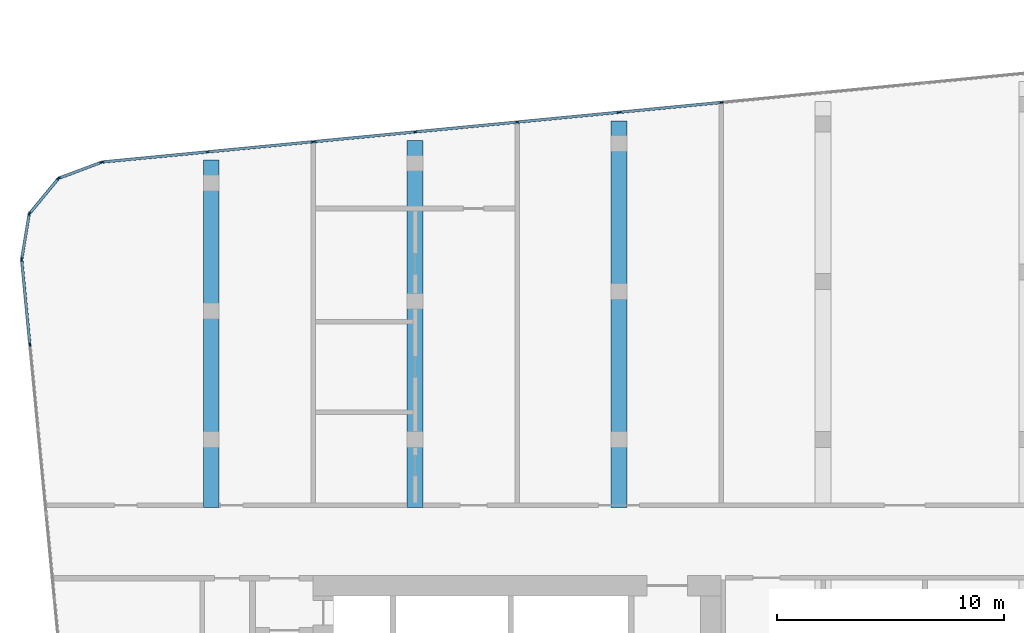
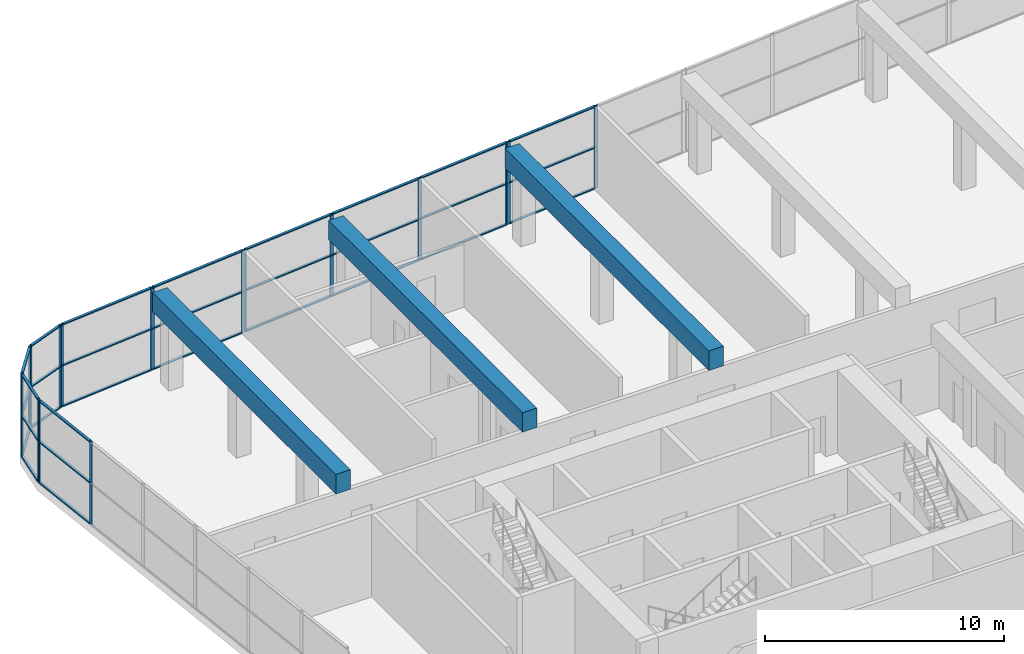
# One storey, part 6 of 21: 47 members, 3 beams, 7 elements without a shape of their own.
"""IFC4 building model written with IfcOpenShell, lengths in metres."""

from ifc_helpers import new_model, si_unit, direction, frame, origin, origin_2d, place, context, subcontext, project, spatial, rectangle, extrude, material, material_profile, profile_set, type_object, element, aggregate, save


model = new_model("IFC4")

# Units and contexts
model_context = context("Model", 3, precision=1e-05, world=origin(), true_north=direction((0.0, 1.0)))
body_context = subcontext(model_context, "Body", "Model", "MODEL_VIEW")
ifc_project = project(units=[si_unit("LENGTHUNIT", "METRE"), si_unit("AREAUNIT", "SQUARE_METRE"), si_unit("VOLUMEUNIT", "CUBIC_METRE"), si_unit("PLANEANGLEUNIT", "RADIAN"), si_unit("MASSUNIT", "GRAM", prefix="KILO")], contexts=[model_context])

# Site, building, storey
site_placement = place(None, origin())
site = spatial("IfcSite", under=ifc_project, at=site_placement, CompositionType="ELEMENT")
building_placement = place(site_placement, origin())
building = spatial("IfcBuilding", under=site, at=building_placement, Name="Kajstack Hotel Tower", CompositionType="ELEMENT")
storey_placement = place(building_placement, frame((0.0, 0.0, 162.39990234375)))
storey = spatial("IfcBuildingStorey", under=building, at=storey_placement, Name="L37", CompositionType="ELEMENT", Elevation=162.39990234375)

# Curtain wall, members
ifc_material_1 = material(Name="Aluminium-framed curtain wall, insulated glass with fritted edge", Category="aluminium")
curtain_wall_type = type_object("IfcCurtainWallType", Name="CW-SPA", PredefinedType="NOTDEFINED", material=ifc_material_1)
curtain_wall_1_placement = place(storey_placement, origin())
curtain_wall_1 = element("IfcCurtainWall", 1, at=curtain_wall_1_placement, inside=storey, type_object=curtain_wall_type, Name="Curtain wall CU7 L37-00-00-0", PredefinedType="NOTDEFINED")
ifc_material_2 = material(Name="Aluminium", Category="aluminium")
ifc_material_profile_1 = material_profile(ifc_material_2, rectangle(XDim=0.06005859375, YDim=0.179931640625, at=origin_2d()), Name="Aluminium mullion 60 x 180")
ifc_profile_set_1 = profile_set([ifc_material_profile_1], Name="Aluminium")
member_type_1 = type_object("IfcMemberType", Name="CW-M-SPA", PredefinedType="MULLION", material=ifc_profile_set_1)
member_1_placement = place(storey_placement, frame((-44.36083984375, 12.42138671875, 0.0), z_axis=(0.0, 0.0, 1.0), x_axis=(0.995396334107, 0.095844342793, 0.0)))
member_1 = element("IfcMember", 2, at=member_1_placement, type_object=member_type_1, Name="CU7 mullion 1", PredefinedType="MULLION", context=body_context, shape_type="SweptSolid", body=[
    extrude(rectangle(XDim=0.06005859375, YDim=0.179931640625, at=origin_2d()), origin(), (0.0, 0.0, 1.0), 4.22021484375),
])
member_2_placement = place(storey_placement, frame((-44.002685546875, 8.703369140625, 0.0), z_axis=(0.0, 0.0, 1.0), x_axis=(0.995396334107, 0.095844342793, 0.0)))
member_2 = element("IfcMember", 3, at=member_2_placement, type_object=member_type_1, Name="CU7 mullion 2", PredefinedType="MULLION", context=body_context, shape_type="SweptSolid", body=[
    extrude(rectangle(XDim=0.06005859375, YDim=0.179931640625, at=origin_2d()), origin(), (0.0, 0.0, 1.0), 4.22021484375),
])

curtain_wall_2_placement = place(storey_placement, origin())
curtain_wall_2 = element("IfcCurtainWall", 4, at=curtain_wall_2_placement, inside=storey, type_object=curtain_wall_type, Name="Curtain wall CU7 L37-12-02-2", PredefinedType="NOTDEFINED")
member_3_placement = place(storey_placement, frame((-13.49267578125, 19.366943359375, 0.0), z_axis=(0.0, 0.0, 1.0), x_axis=(0.095845342936, -0.995396237806, 0.0)))
member_3 = element("IfcMember", 5, at=member_3_placement, type_object=member_type_1, Name="CU7 mullion 2", PredefinedType="MULLION", context=body_context, shape_type="SweptSolid", body=[
    extrude(rectangle(XDim=0.06005859375, YDim=0.179931640625, at=origin_2d()), origin(), (0.0, 0.0, 1.0), 4.22021484375),
])
member_4_placement = place(storey_placement, frame((-17.962890625, 18.9365234375, 0.0), z_axis=(0.0, 0.0, 1.0), x_axis=(0.095845342936, -0.995396237806, 0.0)))
member_4 = element("IfcMember", 6, at=member_4_placement, type_object=member_type_1, Name="CU7 mullion 3", PredefinedType="MULLION", context=body_context, shape_type="SweptSolid", body=[
    extrude(rectangle(XDim=0.06005859375, YDim=0.179931640625, at=origin_2d()), origin(), (0.0, 0.0, 1.0), 4.22021484375),
])

curtain_wall_3_placement = place(storey_placement, origin())
curtain_wall_3 = element("IfcCurtainWall", 7, at=curtain_wall_3_placement, inside=storey, type_object=curtain_wall_type, Name="Curtain wall CU7 L37-12-02-3", PredefinedType="NOTDEFINED")
member_5_placement = place(storey_placement, frame((-18.022705078125, 18.930908203125, 0.0), z_axis=(0.0, 0.0, 1.0), x_axis=(0.09584533352, -0.995396238712, 0.0)))
member_5 = element("IfcMember", 8, at=member_5_placement, type_object=member_type_1, Name="CU7 mullion 1", PredefinedType="MULLION", context=body_context, shape_type="SweptSolid", body=[
    extrude(rectangle(XDim=0.06005859375, YDim=0.179931640625, at=origin_2d()), origin(), (0.0, 0.0, 1.0), 4.22021484375),
])
member_6_placement = place(storey_placement, frame((-22.49267578125, 18.50048828125, 0.0), z_axis=(0.0, 0.0, 1.0), x_axis=(0.09584533352, -0.995396238712, 0.0)))
member_6 = element("IfcMember", 9, at=member_6_placement, type_object=member_type_1, Name="CU7 mullion 2", PredefinedType="MULLION", context=body_context, shape_type="SweptSolid", body=[
    extrude(rectangle(XDim=0.06005859375, YDim=0.179931640625, at=origin_2d()), origin(), (0.0, 0.0, 1.0), 4.22021484375),
])
member_7_placement = place(storey_placement, frame((-26.99267578125, 18.067138671875, 0.0), z_axis=(0.0, 0.0, 1.0), x_axis=(0.09584533352, -0.995396238712, 0.0)))
member_7 = element("IfcMember", 10, at=member_7_placement, type_object=member_type_1, Name="CU7 mullion 3", PredefinedType="MULLION", context=body_context, shape_type="SweptSolid", body=[
    extrude(rectangle(XDim=0.06005859375, YDim=0.179931640625, at=origin_2d()), origin(), (0.0, 0.0, 1.0), 4.22021484375),
])
member_8_placement = place(storey_placement, frame((-31.462890625, 17.63671875, 0.0), z_axis=(0.0, 0.0, 1.0), x_axis=(0.09584533352, -0.995396238712, 0.0)))
member_8 = element("IfcMember", 11, at=member_8_placement, type_object=member_type_1, Name="CU7 mullion 4", PredefinedType="MULLION", context=body_context, shape_type="SweptSolid", body=[
    extrude(rectangle(XDim=0.06005859375, YDim=0.179931640625, at=origin_2d()), origin(), (0.0, 0.0, 1.0), 4.22021484375),
])

curtain_wall_4_placement = place(storey_placement, origin())
curtain_wall_4 = element("IfcCurtainWall", 12, at=curtain_wall_4_placement, inside=storey, type_object=curtain_wall_type, Name="Curtain wall CU7 L37-12-02-4", PredefinedType="NOTDEFINED")
member_9_placement = place(storey_placement, frame((-31.522705078125, 17.630859375, 0.0), z_axis=(0.0, 0.0, 1.0), x_axis=(0.095845399936, -0.995396232317, 0.0)))
member_9 = element("IfcMember", 13, at=member_9_placement, type_object=member_type_1, Name="CU7 mullion 1", PredefinedType="MULLION", context=body_context, shape_type="SweptSolid", body=[
    extrude(rectangle(XDim=0.06005859375, YDim=0.179931640625, at=origin_2d()), origin(), (0.0, 0.0, 1.0), 4.22021484375),
])
member_10_placement = place(storey_placement, frame((-36.162841796875, 17.18408203125, 0.0), z_axis=(0.0, 0.0, 1.0), x_axis=(0.095845399936, -0.995396232317, 0.0)))
member_10 = element("IfcMember", 14, at=member_10_placement, type_object=member_type_1, Name="CU7 mullion 2", PredefinedType="MULLION", context=body_context, shape_type="SweptSolid", body=[
    extrude(rectangle(XDim=0.06005859375, YDim=0.179931640625, at=origin_2d()), origin(), (0.0, 0.0, 1.0), 4.22021484375),
])
member_11_placement = place(storey_placement, frame((-40.802978515625, 16.7373046875, 0.0), z_axis=(0.0, 0.0, 1.0), x_axis=(0.095845399936, -0.995396232317, 0.0)))
member_11 = element("IfcMember", 15, at=member_11_placement, type_object=member_type_1, Name="CU7 mullion 3", PredefinedType="MULLION", context=body_context, shape_type="SweptSolid", body=[
    extrude(rectangle(XDim=0.06005859375, YDim=0.179931640625, at=origin_2d()), origin(), (0.0, 0.0, 1.0), 4.22021484375),
])

curtain_wall_5_placement = place(storey_placement, origin())
curtain_wall_5 = element("IfcCurtainWall", 16, at=curtain_wall_5_placement, inside=storey, type_object=curtain_wall_type, Name="Curtain wall CU7 L37-13-00-0", PredefinedType="NOTDEFINED")
member_12_placement = place(storey_placement, frame((-40.842041015625, 16.728271484375, 0.0), z_axis=(0.0, 0.0, 1.0), x_axis=(0.3502023187, -0.936674082046, 0.0)))
member_12 = element("IfcMember", 17, at=member_12_placement, type_object=member_type_1, Name="CU7 mullion 1", PredefinedType="MULLION", context=body_context, shape_type="SweptSolid", body=[
    extrude(rectangle(XDim=0.06005859375, YDim=0.179931640625, at=origin_2d()), origin(), (0.0, 0.0, 1.0), 4.22021484375),
])
member_13_placement = place(storey_placement, frame((-42.72509765625, 16.024169921875, 0.0), z_axis=(0.0, 0.0, 1.0), x_axis=(0.3502023187, -0.936674082046, 0.0)))
member_13 = element("IfcMember", 18, at=member_13_placement, type_object=member_type_1, Name="CU7 mullion 2", PredefinedType="MULLION", context=body_context, shape_type="SweptSolid", body=[
    extrude(rectangle(XDim=0.06005859375, YDim=0.179931640625, at=origin_2d()), origin(), (0.0, 0.0, 1.0), 4.22021484375),
])

curtain_wall_6_placement = place(storey_placement, origin())
curtain_wall_6 = element("IfcCurtainWall", 19, at=curtain_wall_6_placement, inside=storey, type_object=curtain_wall_type, Name="Curtain wall CU7 L37-14-00-0", PredefinedType="NOTDEFINED")
member_14_placement = place(storey_placement, frame((-42.74072265625, 16.01318359375, 0.0), z_axis=(0.0, 0.0, 1.0), x_axis=(0.771610892698, -0.636094828048, 0.0)))
member_14 = element("IfcMember", 20, at=member_14_placement, type_object=member_type_1, Name="CU7 mullion 1", PredefinedType="MULLION", context=body_context, shape_type="SweptSolid", body=[
    extrude(rectangle(XDim=0.06005859375, YDim=0.179931640625, at=origin_2d()), origin(), (0.0, 0.0, 1.0), 4.22021484375),
])
member_15_placement = place(storey_placement, frame((-44.01953125, 14.461669921875, 0.0), z_axis=(0.0, 0.0, 1.0), x_axis=(0.771610892698, -0.636094828048, 0.0)))
member_15 = element("IfcMember", 21, at=member_15_placement, type_object=member_type_1, Name="CU7 mullion 2", PredefinedType="MULLION", context=body_context, shape_type="SweptSolid", body=[
    extrude(rectangle(XDim=0.06005859375, YDim=0.179931640625, at=origin_2d()), origin(), (0.0, 0.0, 1.0), 4.22021484375),
])

curtain_wall_7_placement = place(storey_placement, origin())
curtain_wall_7 = element("IfcCurtainWall", 22, at=curtain_wall_7_placement, inside=storey, type_object=curtain_wall_type, Name="Curtain wall CU7 L37-15-00-0", PredefinedType="NOTDEFINED")
member_16_placement = place(storey_placement, frame((-44.027587890625, 14.4443359375, 0.0), z_axis=(0.0, 0.0, 1.0), x_axis=(0.986289302298, -0.165025489464, 0.0)))
member_16 = element("IfcMember", 23, at=member_16_placement, type_object=member_type_1, Name="CU7 mullion 1", PredefinedType="MULLION", context=body_context, shape_type="SweptSolid", body=[
    extrude(rectangle(XDim=0.06005859375, YDim=0.179931640625, at=origin_2d()), origin(), (0.0, 0.0, 1.0), 4.22021484375),
])
member_17_placement = place(storey_placement, frame((-44.359375, 12.46142578125, 0.0), z_axis=(0.0, 0.0, 1.0), x_axis=(0.986289302298, -0.165025489464, 0.0)))
member_17 = element("IfcMember", 24, at=member_17_placement, type_object=member_type_1, Name="CU7 mullion 2", PredefinedType="MULLION", context=body_context, shape_type="SweptSolid", body=[
    extrude(rectangle(XDim=0.06005859375, YDim=0.179931640625, at=origin_2d()), origin(), (0.0, 0.0, 1.0), 4.22021484375),
])

# Member
ifc_material_profile_2 = material_profile(ifc_material_2, rectangle(XDim=0.1201171875, YDim=0.06005859375, at=origin_2d()), Name="Aluminium transom 120 x 60")
ifc_profile_set_2 = profile_set([ifc_material_profile_2], Name="Aluminium")
member_type_2 = type_object("IfcMemberType", Name="CW-T-SPA", PredefinedType="USERDEFINED", material=ifc_profile_set_2)
member_18_placement = place(storey_placement, frame((-44.35791015625, 12.3916015625, 0.030029296875), z_axis=(0.095852900965, -0.995395510024, 0.0), x_axis=(0.995395510024, 0.095852900965, 0.0)))
member_18 = element("IfcMember", 25, at=member_18_placement, type_object=member_type_2, Name="CU7 transom 1.1", ObjectType="TRANSOM", PredefinedType="USERDEFINED", context=body_context, shape_type="SweptSolid", body=[
    extrude(rectangle(XDim=0.1201171875, YDim=0.06005859375, at=origin_2d()), origin(), (0.0, 0.0, 1.0), 3.67529296875),
])

member_19_placement = place(storey_placement, frame((-44.35791015625, 12.3916015625, 2.110107421875), z_axis=(0.095852900965, -0.995395510024, 0.0), x_axis=(0.995395510024, 0.095852900965, 0.0)))
member_19 = element("IfcMember", 26, at=member_19_placement, type_object=member_type_2, Name="CU7 transom 1.2", ObjectType="TRANSOM", PredefinedType="USERDEFINED", context=body_context, shape_type="SweptSolid", body=[
    extrude(rectangle(XDim=0.1201171875, YDim=0.06005859375, at=origin_2d()), origin(), (0.0, 0.0, 1.0), 3.67529296875),
])

member_20_placement = place(storey_placement, frame((-44.35791015625, 12.3916015625, 4.190185546875), z_axis=(0.095852900965, -0.995395510024, 0.0), x_axis=(0.995395510024, 0.095852900965, 0.0)))
member_20 = element("IfcMember", 27, at=member_20_placement, type_object=member_type_2, Name="CU7 transom 1.3", ObjectType="TRANSOM", PredefinedType="USERDEFINED", context=body_context, shape_type="SweptSolid", body=[
    extrude(rectangle(XDim=0.1201171875, YDim=0.06005859375, at=origin_2d()), origin(), (0.0, 0.0, 1.0), 3.67529296875),
])

aggregate(curtain_wall_1, [member_1, member_2, member_18, member_19, member_20])

member_21_placement = place(storey_placement, frame((-13.522705078125, 19.364013671875, 0.030029296875), z_axis=(-0.995398624916, -0.095820548504, 0.0), x_axis=(0.095820548504, -0.995398624916, 0.0)))
member_21 = element("IfcMember", 28, at=member_21_placement, type_object=member_type_2, Name="CU7 transom 2.1", ObjectType="TRANSOM", PredefinedType="USERDEFINED", context=body_context, shape_type="SweptSolid", body=[
    extrude(rectangle(XDim=0.1201171875, YDim=0.06005859375, at=origin_2d()), origin(), (0.0, 0.0, 1.0), 4.430908203125),
])

member_22_placement = place(storey_placement, frame((-13.522705078125, 19.364013671875, 2.110107421875), z_axis=(-0.995398624916, -0.095820548504, 0.0), x_axis=(0.095820548504, -0.995398624916, 0.0)))
member_22 = element("IfcMember", 29, at=member_22_placement, type_object=member_type_2, Name="CU7 transom 2.2", ObjectType="TRANSOM", PredefinedType="USERDEFINED", context=body_context, shape_type="SweptSolid", body=[
    extrude(rectangle(XDim=0.1201171875, YDim=0.06005859375, at=origin_2d()), origin(), (0.0, 0.0, 1.0), 4.430908203125),
])

member_23_placement = place(storey_placement, frame((-13.522705078125, 19.364013671875, 4.190185546875), z_axis=(-0.995398624916, -0.095820548504, 0.0), x_axis=(0.095820548504, -0.995398624916, 0.0)))
member_23 = element("IfcMember", 30, at=member_23_placement, type_object=member_type_2, Name="CU7 transom 2.3", ObjectType="TRANSOM", PredefinedType="USERDEFINED", context=body_context, shape_type="SweptSolid", body=[
    extrude(rectangle(XDim=0.1201171875, YDim=0.06005859375, at=origin_2d()), origin(), (0.0, 0.0, 1.0), 4.430908203125),
])

aggregate(curtain_wall_2, [member_3, member_4, member_21, member_22, member_23])

member_24_placement = place(storey_placement, frame((-18.052490234375, 18.927978515625, 0.030029296875), z_axis=(-0.995393367938, -0.095875143106, 0.0), x_axis=(0.095875143106, -0.995393367938, 0.0)))
member_24 = element("IfcMember", 31, at=member_24_placement, type_object=member_type_2, Name="CU7 transom 1.1", ObjectType="TRANSOM", PredefinedType="USERDEFINED", context=body_context, shape_type="SweptSolid", body=[
    extrude(rectangle(XDim=0.1201171875, YDim=0.06005859375, at=origin_2d()), origin(), (0.0, 0.0, 1.0), 4.430908203125),
])

member_25_placement = place(storey_placement, frame((-18.052490234375, 18.927978515625, 2.110107421875), z_axis=(-0.995393367938, -0.095875143106, 0.0), x_axis=(0.095875143106, -0.995393367938, 0.0)))
member_25 = element("IfcMember", 32, at=member_25_placement, type_object=member_type_2, Name="CU7 transom 1.2", ObjectType="TRANSOM", PredefinedType="USERDEFINED", context=body_context, shape_type="SweptSolid", body=[
    extrude(rectangle(XDim=0.1201171875, YDim=0.06005859375, at=origin_2d()), origin(), (0.0, 0.0, 1.0), 4.430908203125),
])

member_26_placement = place(storey_placement, frame((-18.052490234375, 18.927978515625, 4.190185546875), z_axis=(-0.995393367938, -0.095875143106, 0.0), x_axis=(0.095875143106, -0.995393367938, 0.0)))
member_26 = element("IfcMember", 33, at=member_26_placement, type_object=member_type_2, Name="CU7 transom 1.3", ObjectType="TRANSOM", PredefinedType="USERDEFINED", context=body_context, shape_type="SweptSolid", body=[
    extrude(rectangle(XDim=0.1201171875, YDim=0.06005859375, at=origin_2d()), origin(), (0.0, 0.0, 1.0), 4.430908203125),
])

member_27_placement = place(storey_placement, frame((-22.522705078125, 18.49755859375, 0.030029296875), z_axis=(-0.995397289199, -0.095834423126, 0.0), x_axis=(0.095834423126, -0.995397289199, 0.0)))
member_27 = element("IfcMember", 34, at=member_27_placement, type_object=member_type_2, Name="CU7 transom 2.1", ObjectType="TRANSOM", PredefinedType="USERDEFINED", context=body_context, shape_type="SweptSolid", body=[
    extrude(rectangle(XDim=0.1201171875, YDim=0.06005859375, at=origin_2d()), origin(), (0.0, 0.0, 1.0), 4.460693359375),
])

member_28_placement = place(storey_placement, frame((-22.522705078125, 18.49755859375, 2.110107421875), z_axis=(-0.995397289199, -0.095834423126, 0.0), x_axis=(0.095834423126, -0.995397289199, 0.0)))
member_28 = element("IfcMember", 35, at=member_28_placement, type_object=member_type_2, Name="CU7 transom 2.2", ObjectType="TRANSOM", PredefinedType="USERDEFINED", context=body_context, shape_type="SweptSolid", body=[
    extrude(rectangle(XDim=0.1201171875, YDim=0.06005859375, at=origin_2d()), origin(), (0.0, 0.0, 1.0), 4.460693359375),
])

member_29_placement = place(storey_placement, frame((-22.522705078125, 18.49755859375, 4.190185546875), z_axis=(-0.995397289199, -0.095834423126, 0.0), x_axis=(0.095834423126, -0.995397289199, 0.0)))
member_29 = element("IfcMember", 36, at=member_29_placement, type_object=member_type_2, Name="CU7 transom 2.3", ObjectType="TRANSOM", PredefinedType="USERDEFINED", context=body_context, shape_type="SweptSolid", body=[
    extrude(rectangle(XDim=0.1201171875, YDim=0.06005859375, at=origin_2d()), origin(), (0.0, 0.0, 1.0), 4.460693359375),
])

member_30_placement = place(storey_placement, frame((-27.022705078125, 18.064208984375, 0.030029296875), z_axis=(-0.995398624916, -0.095820548504, 0.0), x_axis=(0.095820548504, -0.995398624916, 0.0)))
member_30 = element("IfcMember", 37, at=member_30_placement, type_object=member_type_2, Name="CU7 transom 3.1", ObjectType="TRANSOM", PredefinedType="USERDEFINED", context=body_context, shape_type="SweptSolid", body=[
    extrude(rectangle(XDim=0.1201171875, YDim=0.06005859375, at=origin_2d()), origin(), (0.0, 0.0, 1.0), 4.430908203125),
])

member_31_placement = place(storey_placement, frame((-27.022705078125, 18.064208984375, 2.110107421875), z_axis=(-0.995398624916, -0.095820548504, 0.0), x_axis=(0.095820548504, -0.995398624916, 0.0)))
member_31 = element("IfcMember", 38, at=member_31_placement, type_object=member_type_2, Name="CU7 transom 3.2", ObjectType="TRANSOM", PredefinedType="USERDEFINED", context=body_context, shape_type="SweptSolid", body=[
    extrude(rectangle(XDim=0.1201171875, YDim=0.06005859375, at=origin_2d()), origin(), (0.0, 0.0, 1.0), 4.430908203125),
])

member_32_placement = place(storey_placement, frame((-27.022705078125, 18.064208984375, 4.190185546875), z_axis=(-0.995398624916, -0.095820548504, 0.0), x_axis=(0.095820548504, -0.995398624916, 0.0)))
member_32 = element("IfcMember", 39, at=member_32_placement, type_object=member_type_2, Name="CU7 transom 3.3", ObjectType="TRANSOM", PredefinedType="USERDEFINED", context=body_context, shape_type="SweptSolid", body=[
    extrude(rectangle(XDim=0.1201171875, YDim=0.06005859375, at=origin_2d()), origin(), (0.0, 0.0, 1.0), 4.430908203125),
])

aggregate(curtain_wall_3, [member_5, member_6, member_7, member_8, member_24, member_25, member_26, member_27, member_28, member_29, member_30, member_31, member_32])

member_33_placement = place(storey_placement, frame((-31.552490234375, 17.6279296875, 0.030029296875), z_axis=(-0.995399108941, -0.09581552024, 0.0), x_axis=(0.09581552024, -0.995399108941, 0.0)))
member_33 = element("IfcMember", 40, at=member_33_placement, type_object=member_type_2, Name="CU7 transom 1.1", ObjectType="TRANSOM", PredefinedType="USERDEFINED", context=body_context, shape_type="SweptSolid", body=[
    extrude(rectangle(XDim=0.1201171875, YDim=0.06005859375, at=origin_2d()), origin(), (0.0, 0.0, 1.0), 4.601806640625),
])

member_34_placement = place(storey_placement, frame((-31.552490234375, 17.6279296875, 2.110107421875), z_axis=(-0.995399108941, -0.09581552024, 0.0), x_axis=(0.09581552024, -0.995399108941, 0.0)))
member_34 = element("IfcMember", 41, at=member_34_placement, type_object=member_type_2, Name="CU7 transom 1.2", ObjectType="TRANSOM", PredefinedType="USERDEFINED", context=body_context, shape_type="SweptSolid", body=[
    extrude(rectangle(XDim=0.1201171875, YDim=0.06005859375, at=origin_2d()), origin(), (0.0, 0.0, 1.0), 4.601806640625),
])

member_35_placement = place(storey_placement, frame((-31.552490234375, 17.6279296875, 4.190185546875), z_axis=(-0.995399108941, -0.09581552024, 0.0), x_axis=(0.09581552024, -0.995399108941, 0.0)))
member_35 = element("IfcMember", 42, at=member_35_placement, type_object=member_type_2, Name="CU7 transom 1.3", ObjectType="TRANSOM", PredefinedType="USERDEFINED", context=body_context, shape_type="SweptSolid", body=[
    extrude(rectangle(XDim=0.1201171875, YDim=0.06005859375, at=origin_2d()), origin(), (0.0, 0.0, 1.0), 4.601806640625),
])

member_36_placement = place(storey_placement, frame((-36.192626953125, 17.18115234375, 0.030029296875), z_axis=(-0.995399108941, -0.09581552024, 0.0), x_axis=(0.09581552024, -0.995399108941, 0.0)))
member_36 = element("IfcMember", 43, at=member_36_placement, type_object=member_type_2, Name="CU7 transom 2.1", ObjectType="TRANSOM", PredefinedType="USERDEFINED", context=body_context, shape_type="SweptSolid", body=[
    extrude(rectangle(XDim=0.1201171875, YDim=0.06005859375, at=origin_2d()), origin(), (0.0, 0.0, 1.0), 4.601806640625),
])

member_37_placement = place(storey_placement, frame((-36.192626953125, 17.18115234375, 2.110107421875), z_axis=(-0.995399108941, -0.09581552024, 0.0), x_axis=(0.09581552024, -0.995399108941, 0.0)))
member_37 = element("IfcMember", 44, at=member_37_placement, type_object=member_type_2, Name="CU7 transom 2.2", ObjectType="TRANSOM", PredefinedType="USERDEFINED", context=body_context, shape_type="SweptSolid", body=[
    extrude(rectangle(XDim=0.1201171875, YDim=0.06005859375, at=origin_2d()), origin(), (0.0, 0.0, 1.0), 4.601806640625),
])

member_38_placement = place(storey_placement, frame((-36.192626953125, 17.18115234375, 4.190185546875), z_axis=(-0.995399108941, -0.09581552024, 0.0), x_axis=(0.09581552024, -0.995399108941, 0.0)))
member_38 = element("IfcMember", 45, at=member_38_placement, type_object=member_type_2, Name="CU7 transom 2.3", ObjectType="TRANSOM", PredefinedType="USERDEFINED", context=body_context, shape_type="SweptSolid", body=[
    extrude(rectangle(XDim=0.1201171875, YDim=0.06005859375, at=origin_2d()), origin(), (0.0, 0.0, 1.0), 4.601806640625),
])

aggregate(curtain_wall_4, [member_9, member_10, member_11, member_33, member_34, member_35, member_36, member_37, member_38])

member_39_placement = place(storey_placement, frame((-40.8701171875, 16.7177734375, 0.030029296875), z_axis=(-0.936663116963, -0.350231645231, 0.0), x_axis=(0.350231645231, -0.936663116963, 0.0)))
member_39 = element("IfcMember", 46, at=member_39_placement, type_object=member_type_2, Name="CU7 transom 1.1", ObjectType="TRANSOM", PredefinedType="USERDEFINED", context=body_context, shape_type="SweptSolid", body=[
    extrude(rectangle(XDim=0.1201171875, YDim=0.06005859375, at=origin_2d()), origin(), (0.0, 0.0, 1.0), 1.950439453125),
])

member_40_placement = place(storey_placement, frame((-40.8701171875, 16.7177734375, 2.110107421875), z_axis=(-0.936663116963, -0.350231645231, 0.0), x_axis=(0.350231645231, -0.936663116963, 0.0)))
member_40 = element("IfcMember", 47, at=member_40_placement, type_object=member_type_2, Name="CU7 transom 1.2", ObjectType="TRANSOM", PredefinedType="USERDEFINED", context=body_context, shape_type="SweptSolid", body=[
    extrude(rectangle(XDim=0.1201171875, YDim=0.06005859375, at=origin_2d()), origin(), (0.0, 0.0, 1.0), 1.950439453125),
])

member_41_placement = place(storey_placement, frame((-40.8701171875, 16.7177734375, 4.190185546875), z_axis=(-0.936663116963, -0.350231645231, 0.0), x_axis=(0.350231645231, -0.936663116963, 0.0)))
member_41 = element("IfcMember", 48, at=member_41_placement, type_object=member_type_2, Name="CU7 transom 1.3", ObjectType="TRANSOM", PredefinedType="USERDEFINED", context=body_context, shape_type="SweptSolid", body=[
    extrude(rectangle(XDim=0.1201171875, YDim=0.06005859375, at=origin_2d()), origin(), (0.0, 0.0, 1.0), 1.950439453125),
])

aggregate(curtain_wall_5, [member_12, member_13, member_39, member_40, member_41])

member_42_placement = place(storey_placement, frame((-42.759765625, 15.989990234375, 0.030029296875), z_axis=(-0.636075700037, -0.771626660907, 0.0), x_axis=(0.771626660907, -0.636075700037, 0.0)))
member_42 = element("IfcMember", 49, at=member_42_placement, type_object=member_type_2, Name="CU7 transom 1.1", ObjectType="TRANSOM", PredefinedType="USERDEFINED", context=body_context, shape_type="SweptSolid", body=[
    extrude(rectangle(XDim=0.1201171875, YDim=0.06005859375, at=origin_2d()), origin(), (0.0, 0.0, 1.0), 1.95068359375),
])

member_43_placement = place(storey_placement, frame((-42.759765625, 15.989990234375, 2.110107421875), z_axis=(-0.636075700037, -0.771626660907, 0.0), x_axis=(0.771626660907, -0.636075700037, 0.0)))
member_43 = element("IfcMember", 50, at=member_43_placement, type_object=member_type_2, Name="CU7 transom 1.2", ObjectType="TRANSOM", PredefinedType="USERDEFINED", context=body_context, shape_type="SweptSolid", body=[
    extrude(rectangle(XDim=0.1201171875, YDim=0.06005859375, at=origin_2d()), origin(), (0.0, 0.0, 1.0), 1.95068359375),
])

member_44_placement = place(storey_placement, frame((-42.759765625, 15.989990234375, 4.190185546875), z_axis=(-0.636075700037, -0.771626660907, 0.0), x_axis=(0.771626660907, -0.636075700037, 0.0)))
member_44 = element("IfcMember", 51, at=member_44_placement, type_object=member_type_2, Name="CU7 transom 1.3", ObjectType="TRANSOM", PredefinedType="USERDEFINED", context=body_context, shape_type="SweptSolid", body=[
    extrude(rectangle(XDim=0.1201171875, YDim=0.06005859375, at=origin_2d()), origin(), (0.0, 0.0, 1.0), 1.95068359375),
])

aggregate(curtain_wall_6, [member_14, member_15, member_42, member_43, member_44])

member_45_placement = place(storey_placement, frame((-44.032470703125, 14.414794921875, 0.030029296875), z_axis=(-0.165089030927, -0.986278668464, 0.0), x_axis=(0.986278668464, -0.165089030927, 0.0)))
member_45 = element("IfcMember", 52, at=member_45_placement, type_object=member_type_2, Name="CU7 transom 1.1", ObjectType="TRANSOM", PredefinedType="USERDEFINED", context=body_context, shape_type="SweptSolid", body=[
    extrude(rectangle(XDim=0.1201171875, YDim=0.06005859375, at=origin_2d()), origin(), (0.0, 0.0, 1.0), 1.95068359375),
])

member_46_placement = place(storey_placement, frame((-44.032470703125, 14.414794921875, 2.110107421875), z_axis=(-0.165089030927, -0.986278668464, 0.0), x_axis=(0.986278668464, -0.165089030927, 0.0)))
member_46 = element("IfcMember", 53, at=member_46_placement, type_object=member_type_2, Name="CU7 transom 1.2", ObjectType="TRANSOM", PredefinedType="USERDEFINED", context=body_context, shape_type="SweptSolid", body=[
    extrude(rectangle(XDim=0.1201171875, YDim=0.06005859375, at=origin_2d()), origin(), (0.0, 0.0, 1.0), 1.95068359375),
])

member_47_placement = place(storey_placement, frame((-44.032470703125, 14.414794921875, 4.190185546875), z_axis=(-0.165089030927, -0.986278668464, 0.0), x_axis=(0.986278668464, -0.165089030927, 0.0)))
member_47 = element("IfcMember", 54, at=member_47_placement, type_object=member_type_2, Name="CU7 transom 1.3", ObjectType="TRANSOM", PredefinedType="USERDEFINED", context=body_context, shape_type="SweptSolid", body=[
    extrude(rectangle(XDim=0.1201171875, YDim=0.06005859375, at=origin_2d()), origin(), (0.0, 0.0, 1.0), 1.95068359375),
])

aggregate(curtain_wall_7, [member_16, member_17, member_45, member_46, member_47])

# Beams
ifc_material_3 = material(Name="Concrete C60/75", Category="concrete")
ifc_material_profile_3 = material_profile(ifc_material_3, rectangle(XDim=0.699951171875, YDim=1.0, at=origin_2d()), Name="RC 700x1000")
ifc_profile_set_3 = profile_set([ifc_material_profile_3], Name="Concrete C60/75")
beam_type = type_object("IfcBeamType", Name="TG3 RC 700x1000 C60/75", PredefinedType="BEAM", material=ifc_profile_set_3)
beam_1_placement = place(storey_placement, frame((-36.0, 1.5, 3.72021484375), z_axis=(0.0, 1.0, 0.0), x_axis=(-1.0, 0.0, 0.0)))
element("IfcBeam", 55, at=beam_1_placement, inside=storey, type_object=beam_type, Name="S-girder-L37--36p0-1", PredefinedType="BEAM", context=body_context, shape_type="SweptSolid", body=[
    extrude(rectangle(XDim=0.699951171875, YDim=1.0, at=origin_2d()), origin(), (0.0, 0.0, 1.0), 15.322998046875),
])
beam_2_placement = place(storey_placement, frame((-27.0, 1.5, 3.72021484375), z_axis=(0.0, 1.0, 0.0), x_axis=(-1.0, 0.0, 0.0)))
element("IfcBeam", 56, at=beam_2_placement, inside=storey, type_object=beam_type, Name="S-girder-L37--27p0-1", PredefinedType="BEAM", context=body_context, shape_type="SweptSolid", body=[
    extrude(rectangle(XDim=0.699951171875, YDim=1.0, at=origin_2d()), origin(), (0.0, 0.0, 1.0), 16.189697265625),
])
beam_3_placement = place(storey_placement, frame((-18.0, 1.5, 3.72021484375), z_axis=(0.0, 1.0, 0.0), x_axis=(-1.0, 0.0, 0.0)))
element("IfcBeam", 57, at=beam_3_placement, inside=storey, type_object=beam_type, Name="S-girder-L37--18p0-1", PredefinedType="BEAM", context=body_context, shape_type="SweptSolid", body=[
    extrude(rectangle(XDim=0.699951171875, YDim=1.0, at=origin_2d()), origin(), (0.0, 0.0, 1.0), 17.056396484375),
])

save(model, "model.ifc")
